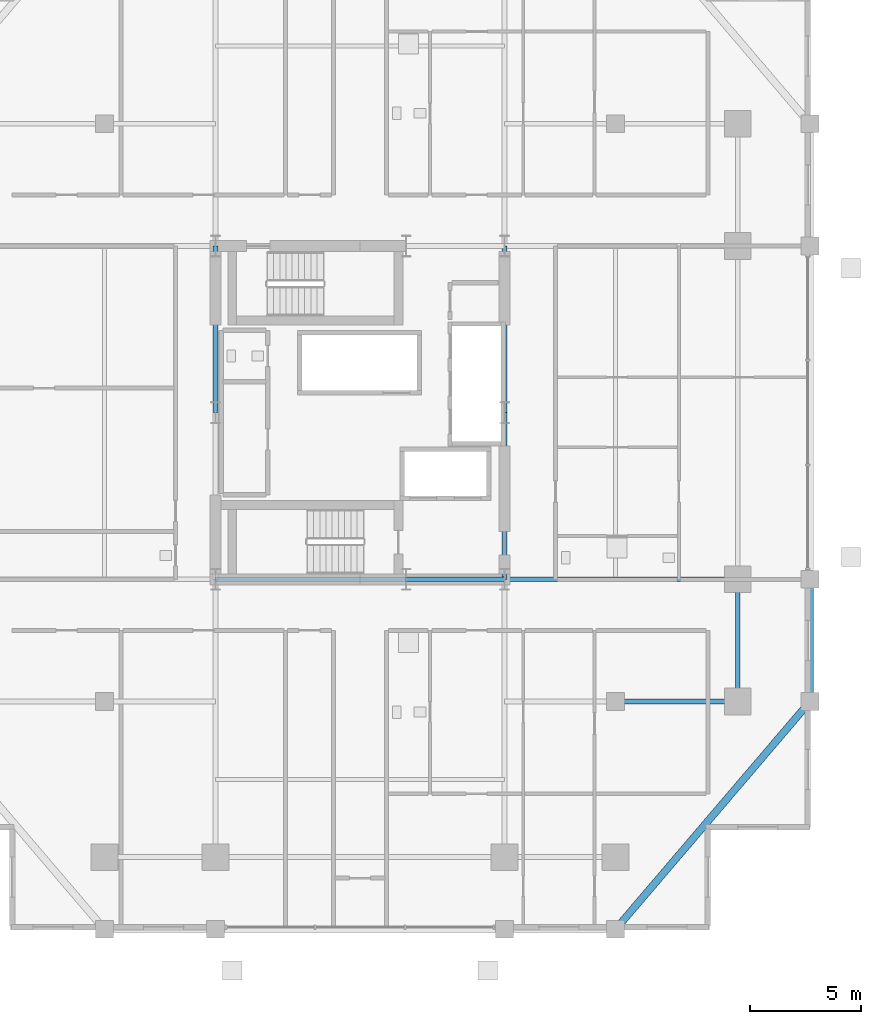
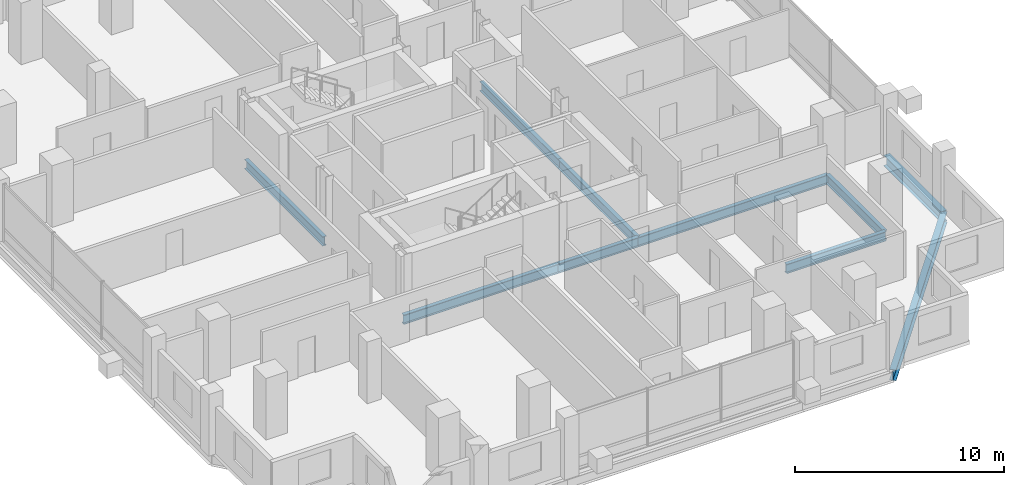
# One storey, part 6 of 19: 10 beams.
"""IFC4 building model written with IfcOpenShell, lengths in metres."""

from ifc_helpers import new_model, si_unit, direction, frame, origin, origin_2d, place, context, subcontext, project, spatial, i_section, extrude, material, material_profile, profile_set, type_object, element, save


model = new_model("IFC4")

# Units and contexts
model_context = context("Model", 3, precision=1e-05, world=origin(), true_north=direction((0.0, 1.0)))
body_context = subcontext(model_context, "Body", "Model", "MODEL_VIEW")
ifc_project = project(units=[si_unit("LENGTHUNIT", "METRE"), si_unit("AREAUNIT", "SQUARE_METRE"), si_unit("VOLUMEUNIT", "CUBIC_METRE"), si_unit("PLANEANGLEUNIT", "RADIAN"), si_unit("MASSUNIT", "GRAM", prefix="KILO")], contexts=[model_context])

# Site, building, storey
site_placement = place(None, origin())
site = spatial("IfcSite", under=ifc_project, at=site_placement, CompositionType="ELEMENT")
building_placement = place(site_placement, origin())
building = spatial("IfcBuilding", under=site, at=building_placement, Name="Barlavira Tower and Art Museum", CompositionType="ELEMENT")
storey_placement = place(building_placement, frame((0.0, 0.0, 158.39990234375)))
storey = spatial("IfcBuildingStorey", under=building, at=storey_placement, Name="L40", CompositionType="ELEMENT", Elevation=158.39990234375)

# Beams
ifc_material = material(Name="Steel S355", Category="steel")
ifc_material_profile_1 = material_profile(ifc_material, i_section(OverallWidth=0.327880859375, OverallDepth=0.62890625, WebThickness=0.013916015625, FlangeThickness=0.021484375, at=origin_2d()), Name="W610x174.0")
ifc_profile_set_1 = profile_set([ifc_material_profile_1], Name="Steel S355")
beam_type_1 = type_object("IfcBeamType", Name="Perimeter Spandrel Edge Beam W610x174 Steel S355", PredefinedType="SPANDREL", material=ifc_profile_set_1)
beam_1_placement = place(storey_placement, frame((11.5, -23.25, -0.534423828125), z_axis=(0.649262379928, 0.760564502202, 0.0), x_axis=(-0.760564502202, 0.649262379928, 0.0)))
element("IfcBeam", 1, at=beam_1_placement, inside=storey, type_object=beam_type_1, Name="L40 Spandrel 4", PredefinedType="SPANDREL", context=body_context, shape_type="SweptSolid", body=[
    extrude(i_section(OverallWidth=0.327880859375, OverallDepth=0.62890625, WebThickness=0.013916015625, FlangeThickness=0.021484375, at=origin_2d()), origin(), (0.0, 0.0, 1.0), 13.476806640625),
])
beam_2_placement = place(storey_placement, frame((20.25, -13.0, -0.534423828125), z_axis=(0.0, 1.0, 0.0), x_axis=(-1.0, 0.0, 0.0)))
element("IfcBeam", 2, at=beam_2_placement, inside=storey, type_object=beam_type_1, Name="L40 Spandrel 5", PredefinedType="SPANDREL", context=body_context, shape_type="SweptSolid", body=[
    extrude(i_section(OverallWidth=0.327880859375, OverallDepth=0.62890625, WebThickness=0.013916015625, FlangeThickness=0.021484375, at=origin_2d()), origin(), (0.0, 0.0, 1.0), 5.5),
])
ifc_material_profile_2 = material_profile(ifc_material, i_section(OverallWidth=0.214111328125, OverallDepth=0.549072265625, WebThickness=0.0146484375, FlangeThickness=0.023681640625, at=origin_2d()), Name="W530x138.0")
ifc_profile_set_2 = profile_set([ifc_material_profile_2], Name="Steel S355")
beam_type_2 = type_object("IfcBeamType", Name="Zone 1 Primary Floor Girder W530x138 Steel S355", PredefinedType="BEAM", material=ifc_profile_set_2)
beam_3_placement = place(storey_placement, frame((-6.5, -7.5, -0.494384765625), z_axis=(1.0, 0.0, 0.0), x_axis=(0.0, 1.0, 0.0)))
element("IfcBeam", 3, at=beam_3_placement, inside=storey, type_object=beam_type_2, Name="L40 Girder C-S1", PredefinedType="BEAM", context=body_context, shape_type="SweptSolid", body=[
    extrude(i_section(OverallWidth=0.214111328125, OverallDepth=0.549072265625, WebThickness=0.0146484375, FlangeThickness=0.023681640625, at=origin_2d()), origin(), (0.0, 0.0, 1.0), 8.580078125),
])
beam_4_placement = place(storey_placement, frame((2.080078125, -7.5, -0.494384765625), z_axis=(1.0, 0.0, 0.0), x_axis=(0.0, 1.0, 0.0)))
element("IfcBeam", 4, at=beam_4_placement, inside=storey, type_object=beam_type_2, Name="L40 Girder C-S2", PredefinedType="BEAM", context=body_context, shape_type="SweptSolid", body=[
    extrude(i_section(OverallWidth=0.214111328125, OverallDepth=0.549072265625, WebThickness=0.0146484375, FlangeThickness=0.023681640625, at=origin_2d()), origin(), (0.0, 0.0, 1.0), 4.419921875),
])
for number, where, z_axis, x_axis, name in (
    (5, (-6.5, 0.0, -0.494384765625), (0.0, 1.0, 0.0), (-1.0, 0.0, 0.0), "L40 Girder C-W2"),
    (6, (6.5, -7.5, -0.494384765625), (0.0, 1.0, 0.0), (-1.0, 0.0, 0.0), "L40 Girder C-E1"),
    (7, (6.5, 0.0, -0.494384765625), (0.0, 1.0, 0.0), (-1.0, 0.0, 0.0), "L40 Girder C-E2"),
):
    element("IfcBeam", number, at=place(storey_placement, frame(where, z_axis=z_axis, x_axis=x_axis)), inside=storey, type_object=beam_type_2, Name=name, PredefinedType="BEAM", context=body_context, shape_type="SweptSolid", body=[
        extrude(i_section(OverallWidth=0.214111328125, OverallDepth=0.549072265625, WebThickness=0.0146484375, FlangeThickness=0.023681640625, at=origin_2d()), origin(), (0.0, 0.0, 1.0), 7.5),
    ])
beam_5_placement = place(storey_placement, frame((17.0, -13.0, -0.494384765625), z_axis=(0.0, 1.0, 0.0), x_axis=(-1.0, 0.0, 0.0)))
element("IfcBeam", 8, at=beam_5_placement, inside=storey, type_object=beam_type_2, Name="L40 Girder M-E1", PredefinedType="BEAM", context=body_context, shape_type="SweptSolid", body=[
    extrude(i_section(OverallWidth=0.214111328125, OverallDepth=0.549072265625, WebThickness=0.0146484375, FlangeThickness=0.023681640625, at=origin_2d()), origin(), (0.0, 0.0, 1.0), 5.5),
])
beam_6_placement = place(storey_placement, frame((6.5, -7.5, -0.494384765625), z_axis=(1.0, 0.0, 0.0), x_axis=(0.0, 1.0, 0.0)))
element("IfcBeam", 9, at=beam_6_placement, inside=storey, type_object=beam_type_2, Name="L40 Girder R-E1", PredefinedType="BEAM", context=body_context, shape_type="SweptSolid", body=[
    extrude(i_section(OverallWidth=0.214111328125, OverallDepth=0.549072265625, WebThickness=0.0146484375, FlangeThickness=0.023681640625, at=origin_2d()), origin(), (0.0, 0.0, 1.0), 10.5),
])
beam_7_placement = place(storey_placement, frame((11.5, -13.0, -0.494384765625), z_axis=(1.0, 0.0, 0.0), x_axis=(0.0, 1.0, 0.0)))
element("IfcBeam", 10, at=beam_7_placement, inside=storey, type_object=beam_type_2, Name="L40 Girder I-S4", PredefinedType="BEAM", context=body_context, shape_type="SweptSolid", body=[
    extrude(i_section(OverallWidth=0.214111328125, OverallDepth=0.549072265625, WebThickness=0.0146484375, FlangeThickness=0.023681640625, at=origin_2d()), origin(), (0.0, 0.0, 1.0), 5.5),
])

save(model, "model.ifc")
